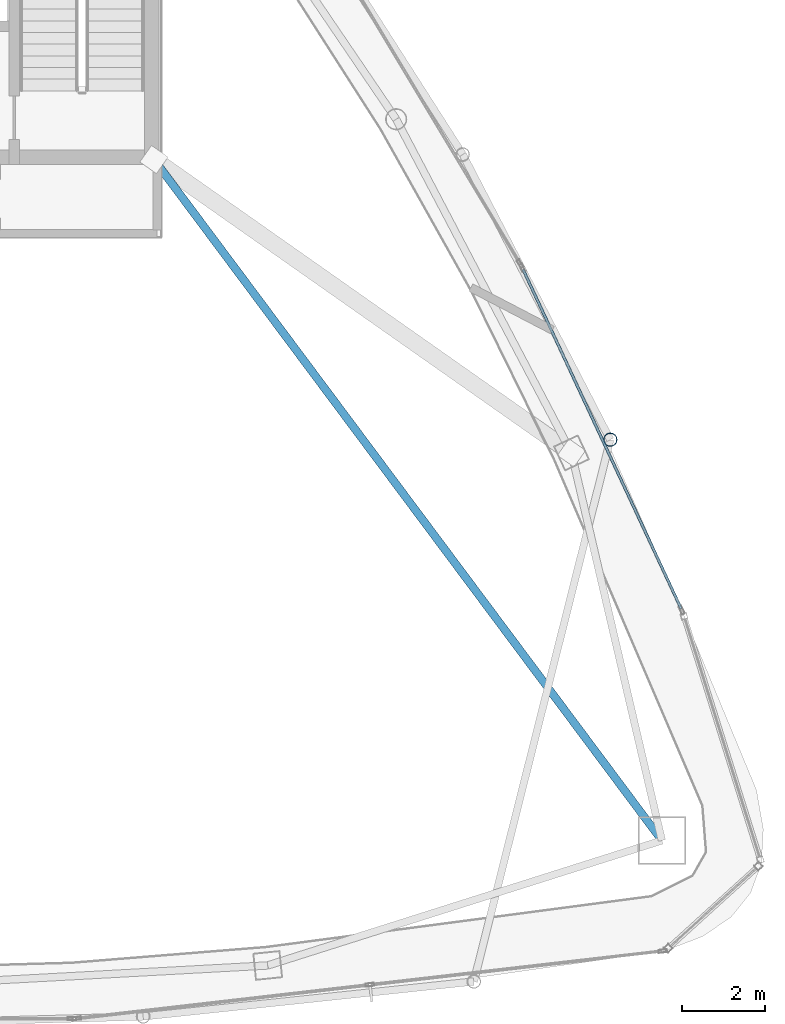
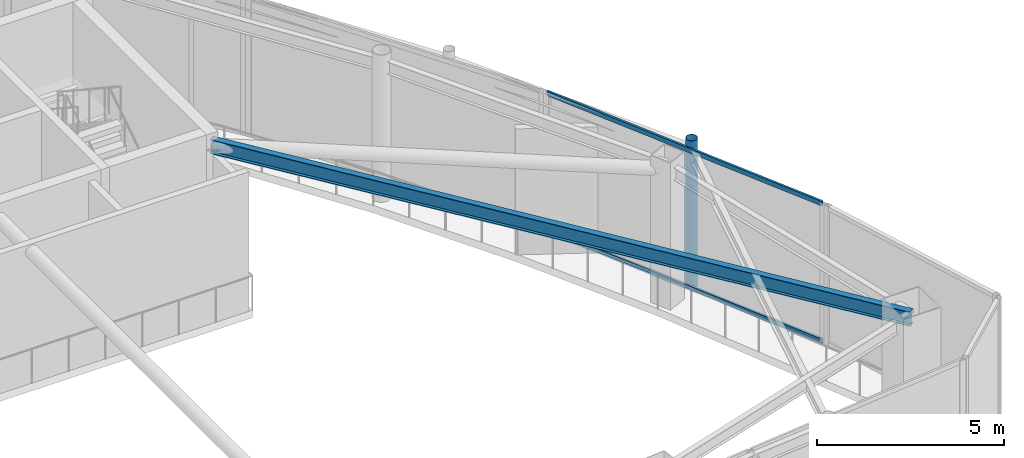
# One storey, part 12 of 20: 3 members, 1 beam, 1 element without a shape of its own.
"""IFC4 building model written with IfcOpenShell, lengths in metres."""

from ifc_helpers import new_model, si_unit, direction, frame, origin, origin_2d, place, context, subcontext, project, spatial, hollow_rectangle, hollow_circle, i_section, extrude, material, layer, layer_set, material_profile, profile_set, type_object, element, aggregate, save


model = new_model("IFC4")

# Units and contexts
model_context = context("Model", 3, precision=1e-05, world=origin(), true_north=direction((0.0, 1.0)))
body_context = subcontext(model_context, "Body", "Model", "MODEL_VIEW")
ifc_project = project(units=[si_unit("LENGTHUNIT", "METRE"), si_unit("AREAUNIT", "SQUARE_METRE"), si_unit("VOLUMEUNIT", "CUBIC_METRE"), si_unit("PLANEANGLEUNIT", "RADIAN"), si_unit("MASSUNIT", "GRAM", prefix="KILO")], contexts=[model_context])

# Site, building, storey
site_placement = place(None, origin())
site = spatial("IfcSite", under=ifc_project, at=site_placement, CompositionType="ELEMENT")
building_placement = place(site_placement, origin())
building = spatial("IfcBuilding", under=site, at=building_placement, Name="Orvanel Arch Residences", CompositionType="ELEMENT")
storey_placement = place(building_placement, frame((0.0, 0.0, 305.300048828125)))
storey = spatial("IfcBuildingStorey", under=building, at=storey_placement, Name="L85", CompositionType="ELEMENT", Elevation=305.300048828125)

# Beam
ifc_material_1 = material(Name="Structural steel AS/NZS 3679.1 Grade 300 (300 MPa)", Category="steel")
ifc_material_profile_1 = material_profile(ifc_material_1, i_section(OverallWidth=0.19091796875, OverallDepth=0.4599609375, WebThickness=0.010009765625, FlangeThickness=0.01611328125, at=origin_2d()), Name="460UB82.1")
ifc_profile_set_1 = profile_set([ifc_material_profile_1], Name="Structural steel AS/NZS 3679.1 Grade 300 (300 MPa)")
beam_type = type_object("IfcBeamType", Name="BG-460UB", PredefinedType="BEAM", material=ifc_profile_set_1)
beam_placement = place(storey_placement, frame((39.625, 26.675048828125, 4.320068359375), z_axis=(0.597893733742, -0.801575375839, 0.0), x_axis=(0.801575375839, 0.597893733742, 0.0)))
element("IfcBeam", 1, at=beam_placement, inside=storey, type_object=beam_type, Name="L85 South-East Radial Girder", PredefinedType="BEAM", context=body_context, shape_type="SweptSolid", body=[
    extrude(i_section(OverallWidth=0.19091796875, OverallDepth=0.4599609375, WebThickness=0.010009765625, FlangeThickness=0.01611328125, at=origin_2d()), origin(), (0.0, 0.0, 1.0), 20.36474609375),
])

# Member
ifc_material_2 = material(Name="Structural steel AS/NZS 1163 C350L0 (Grade 350)", Category="steel")
ifc_material_profile_2 = material_profile(ifc_material_2, hollow_circle(Radius=0.162109375, WallThickness=0.0126953125, at=origin_2d()), Name="CHS324x12.7")
ifc_profile_set_2 = profile_set([ifc_material_profile_2], Name="Structural steel AS/NZS 1163 C350L0 (Grade 350)")
member_type_1 = type_object("IfcMemberType", Name="ST-324CHS-EXT", PredefinedType="STRUT", material=ifc_profile_set_2)
member_1_placement = place(storey_placement, frame((50.56396484375, 19.9580078125, 0.0), z_axis=(0.0, 0.0, 1.0), x_axis=(1.0, 0.0, 0.0)))
element("IfcMember", 2, at=member_1_placement, inside=storey, type_object=member_type_1, Name="L85 Outer Perimeter Frame Post 09", PredefinedType="STRUT", context=body_context, shape_type="SweptSolid", body=[
    extrude(hollow_circle(Radius=0.162109375, WallThickness=0.0126953125, at=origin_2d()), origin(), (0.0, 0.0, 1.0), 4.800048828125),
])

# Curtain wall, members
ifc_material_3 = material(Name="Bronze-anodised aluminium AA6063-T6", Category="aluminium")
ifc_layer = layer(ifc_material_3, 0.2099609375)
ifc_layer_set = layer_set([ifc_layer], Name="Bronze-anodised aluminium AA6063-T6")
curtain_wall_type = type_object("IfcCurtainWallType", Name="CW7-TOP-SYS", PredefinedType="NOTDEFINED", material=ifc_layer_set)
curtain_wall_placement = place(storey_placement, origin())
curtain_wall = element("IfcCurtainWall", 3, at=curtain_wall_placement, inside=storey, type_object=curtain_wall_type, Name="L85 CW7-TOP-SYS Unitised Curtain Wall", PredefinedType="NOTDEFINED")
ifc_material_profile_3 = material_profile(ifc_material_3, hollow_rectangle(XDim=0.06494140625, YDim=0.14990234375, WallThickness=0.00390625, at=origin_2d()), Name="ALU150x65x4")
ifc_profile_set_3 = profile_set([ifc_material_profile_3], Name="Bronze-anodised aluminium AA6063-T6")
member_type_2 = type_object("IfcMemberType", Name="TRN-150x65", PredefinedType="USERDEFINED", material=ifc_profile_set_3)
member_2_placement = place(storey_placement, frame((52.26220703125, 15.906005859375, 0.032470703125), z_axis=(-0.422353742723, 0.906431087291, 0.0), x_axis=(-0.906431087291, -0.422353742723, 0.0)))
member_2 = element("IfcMember", 4, at=member_2_placement, type_object=member_type_2, Name="CW-S7 transom 1.1", ObjectType="TRANSOM", PredefinedType="USERDEFINED", context=body_context, shape_type="SweptSolid", body=[
    extrude(hollow_rectangle(XDim=0.06494140625, YDim=0.14990234375, WallThickness=0.00390625, at=origin_2d()), origin(), (0.0, 0.0, 1.0), 8.974853515625),
])
member_3_placement = place(storey_placement, frame((52.26220703125, 15.906005859375, 4.517333984375), z_axis=(-0.422353742723, 0.906431087291, 0.0), x_axis=(-0.906431087291, -0.422353742723, 0.0)))
member_3 = element("IfcMember", 5, at=member_3_placement, type_object=member_type_2, Name="CW-S7 transom 1.2", ObjectType="TRANSOM", PredefinedType="USERDEFINED", context=body_context, shape_type="SweptSolid", body=[
    extrude(hollow_rectangle(XDim=0.06494140625, YDim=0.14990234375, WallThickness=0.00390625, at=origin_2d()), origin(), (0.0, 0.0, 1.0), 8.974853515625),
])
aggregate(curtain_wall, [member_2, member_3])

save(model, "model.ifc")
